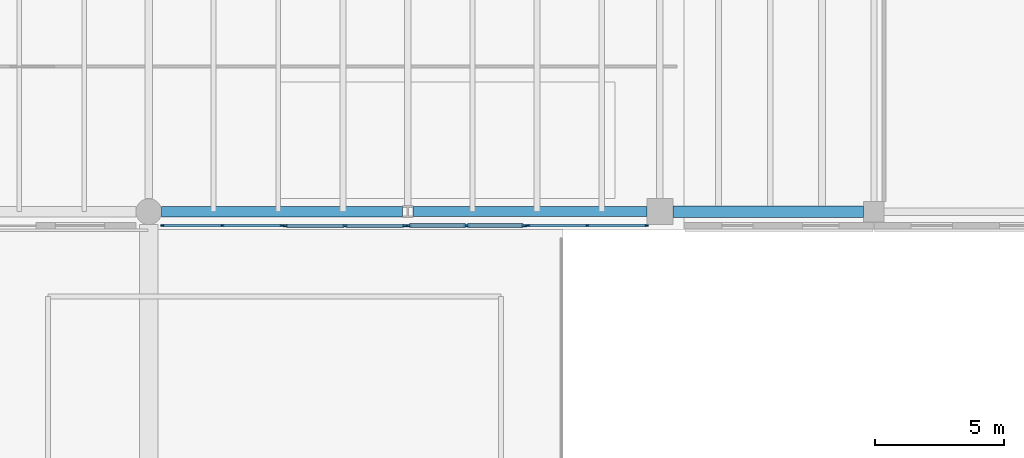
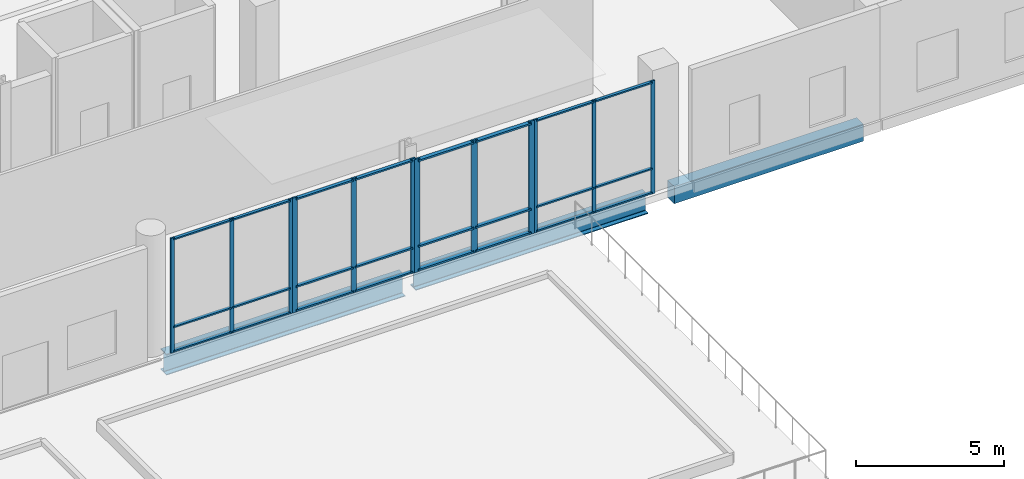
# One storey, part 20 of 60: 36 members, 3 beams, 4 elements without a shape of their own.
"""IFC4 building model written with IfcOpenShell, lengths in metres."""

from ifc_helpers import new_model, si_unit, direction, frame, origin, origin_2d, place, context, subcontext, project, spatial, rectangle, i_section, extrude, material, material_profile, profile_set, type_object, element, aggregate, save


model = new_model("IFC4")

# Units and contexts
model_context = context("Model", 3, precision=1e-05, world=origin(), true_north=direction((0.0, 1.0)))
body_context = subcontext(model_context, "Body", "Model", "MODEL_VIEW")
ifc_project = project(units=[si_unit("LENGTHUNIT", "METRE"), si_unit("AREAUNIT", "SQUARE_METRE"), si_unit("VOLUMEUNIT", "CUBIC_METRE"), si_unit("PLANEANGLEUNIT", "RADIAN"), si_unit("MASSUNIT", "GRAM", prefix="KILO")], contexts=[model_context])

# Site, building, storey
site_placement = place(None, origin())
site = spatial("IfcSite", under=ifc_project, at=site_placement, CompositionType="ELEMENT")
building_placement = place(site_placement, origin())
building = spatial("IfcBuilding", under=site, at=building_placement, Name="Trimount Lyric Opera House", CompositionType="ELEMENT")
storey_placement = place(building_placement, frame((0.0, 0.0, 15.0)))
storey = spatial("IfcBuildingStorey", under=building, at=storey_placement, Name="L03", CompositionType="ELEMENT", Elevation=15.0)

# Beams
ifc_material_1 = material(Name="Steel ASTM A992 Grade 50", Category="steel")
ifc_material_profile_1 = material_profile(ifc_material_1, i_section(OverallWidth=0.40087890625, OverallDepth=0.861083984375, WebThickness=0.019775390625, FlangeThickness=0.032470703125, FilletRadius=0.02001953125, at=origin_2d()), Name="W33X221")
ifc_profile_set_1 = profile_set([ifc_material_profile_1], Name="Steel ASTM A992 Grade 50")
beam_type_1 = type_object("IfcBeamType", Name="B-04", PredefinedType="BEAM", material=ifc_profile_set_1)
beam_1_placement = place(storey_placement, frame((94.5, 44.0, -0.71044921875), z_axis=(1.0, 0.0, 0.0), x_axis=(0.0, 1.0, 0.0)))
element("IfcBeam", 1, at=beam_1_placement, inside=storey, type_object=beam_type_1, Name="L03 girder X-0947", PredefinedType="BEAM", context=body_context, shape_type="SweptSolid", body=[
    extrude(i_section(OverallWidth=0.40087890625, OverallDepth=0.861083984375, WebThickness=0.019775390625, FlangeThickness=0.032470703125, FilletRadius=0.02001953125, at=origin_2d()), origin(), (0.0, 0.0, 1.0), 9.2890625),
])
ifc_material_2 = material(Name="Steel ASTM A992 Grade 50", Category="steel")
ifc_material_profile_2 = material_profile(ifc_material_2, i_section(OverallWidth=0.382080078125, OverallDepth=0.779052734375, WebThickness=0.01806640625, FlangeThickness=0.0302734375, FilletRadius=0.01904296875, at=origin_2d()), Name="W30X191")
ifc_profile_set_2 = profile_set([ifc_material_profile_2], Name="Steel ASTM A992 Grade 50")
beam_type_2 = type_object("IfcBeamType", Name="B-06", PredefinedType="BEAM", material=ifc_profile_set_2)
beam_2_placement = place(storey_placement, frame((104.2109375, 44.0, -0.66943359375), z_axis=(1.0, 0.0, 0.0), x_axis=(0.0, 1.0, 0.0)))
element("IfcBeam", 2, at=beam_2_placement, inside=storey, type_object=beam_type_2, Name="L03 girder X-0948", PredefinedType="BEAM", context=body_context, shape_type="SweptSolid", body=[
    extrude(i_section(OverallWidth=0.382080078125, OverallDepth=0.779052734375, WebThickness=0.01806640625, FlangeThickness=0.0302734375, FilletRadius=0.01904296875, at=origin_2d()), origin(), (0.0, 0.0, 1.0), 9.029052734375),
])

# Curtain wall, members
ifc_material_3 = material(Name="Thermally Broken Aluminium and Low-E Glass", Category="aluminium")
curtain_wall_type = type_object("IfcCurtainWallType", Name="CW-05", PredefinedType="NOTDEFINED", material=ifc_material_3)
curtain_wall_1_placement = place(storey_placement, origin())
curtain_wall_1 = element("IfcCurtainWall", 3, at=curtain_wall_1_placement, inside=storey, type_object=curtain_wall_type, Name="L03 curtain wall 258", PredefinedType="NOTDEFINED")
ifc_material_4 = material(Name="Anodised Aluminium 6063-T6", Category="aluminium")
ifc_material_profile_3 = material_profile(ifc_material_4, rectangle(XDim=0.070068359375, YDim=0.219970703125, at=origin_2d()), Name="ALU-MULL-70X220")
ifc_profile_set_3 = profile_set([ifc_material_profile_3], Name="Anodised Aluminium 6063-T6")
member_type_1 = type_object("IfcMemberType", Name="ML-01", PredefinedType="MULLION", material=ifc_profile_set_3)
member_1_placement = place(storey_placement, frame((108.4951171875, 43.4599609375, 0.0), z_axis=(0.0, 0.0, 1.0), x_axis=(0.0, -1.0, 0.0)))
member_1 = element("IfcMember", 4, at=member_1_placement, type_object=member_type_1, Name="CW-05 mullion 1", PredefinedType="MULLION", context=body_context, shape_type="SweptSolid", body=[
    extrude(rectangle(XDim=0.070068359375, YDim=0.219970703125, at=origin_2d()), origin(), (0.0, 0.0, 1.0), 4.64990234375),
])
member_2_placement = place(storey_placement, frame((106.264892578125, 43.4599609375, 0.0), z_axis=(0.0, 0.0, 1.0), x_axis=(0.0, -1.0, 0.0)))
member_2 = element("IfcMember", 5, at=member_2_placement, type_object=member_type_1, Name="CW-05 mullion 2", PredefinedType="MULLION", context=body_context, shape_type="SweptSolid", body=[
    extrude(rectangle(XDim=0.070068359375, YDim=0.219970703125, at=origin_2d()), origin(), (0.0, 0.0, 1.0), 4.64990234375),
])
member_3_placement = place(storey_placement, frame((104.034912109375, 43.4599609375, 0.0), z_axis=(0.0, 0.0, 1.0), x_axis=(0.0, -1.0, 0.0)))
member_3 = element("IfcMember", 6, at=member_3_placement, type_object=member_type_1, Name="CW-05 mullion 3", PredefinedType="MULLION", context=body_context, shape_type="SweptSolid", body=[
    extrude(rectangle(XDim=0.070068359375, YDim=0.219970703125, at=origin_2d()), origin(), (0.0, 0.0, 1.0), 4.64990234375),
])

curtain_wall_2_placement = place(storey_placement, origin())
curtain_wall_2 = element("IfcCurtainWall", 7, at=curtain_wall_2_placement, inside=storey, type_object=curtain_wall_type, Name="L03 curtain wall 259", PredefinedType="NOTDEFINED")
ifc_material_5 = material(Name="Anodised Aluminium 6063-T6", Category="aluminium")
ifc_material_profile_4 = material_profile(ifc_material_5, rectangle(XDim=0.06494140625, YDim=0.179931640625, at=origin_2d()), Name="ALU-MULL-65X180")
ifc_profile_set_4 = profile_set([ifc_material_profile_4], Name="Anodised Aluminium 6063-T6")
member_type_2 = type_object("IfcMemberType", Name="ML-02", PredefinedType="MULLION", material=ifc_profile_set_4)
member_4_placement = place(storey_placement, frame((103.87744140625, 43.4599609375, 0.0), z_axis=(0.0, 0.0, 1.0), x_axis=(0.0, -1.0, 0.0)))
member_4 = element("IfcMember", 8, at=member_4_placement, type_object=member_type_2, Name="CW-05 mullion 1", PredefinedType="MULLION", context=body_context, shape_type="SweptSolid", body=[
    extrude(rectangle(XDim=0.06494140625, YDim=0.179931640625, at=origin_2d()), origin(), (0.0, 0.0, 1.0), 4.719970703125),
])
member_5_placement = place(storey_placement, frame((101.580078125, 43.4599609375, 0.0), z_axis=(0.0, 0.0, 1.0), x_axis=(0.0, -1.0, 0.0)))
member_5 = element("IfcMember", 9, at=member_5_placement, type_object=member_type_2, Name="CW-05 mullion 2", PredefinedType="MULLION", context=body_context, shape_type="SweptSolid", body=[
    extrude(rectangle(XDim=0.06494140625, YDim=0.179931640625, at=origin_2d()), origin(), (0.0, 0.0, 1.0), 4.719970703125),
])
member_6_placement = place(storey_placement, frame((99.282470703125, 43.4599609375, 0.0), z_axis=(0.0, 0.0, 1.0), x_axis=(0.0, -1.0, 0.0)))
member_6 = element("IfcMember", 10, at=member_6_placement, type_object=member_type_2, Name="CW-05 mullion 3", PredefinedType="MULLION", context=body_context, shape_type="SweptSolid", body=[
    extrude(rectangle(XDim=0.06494140625, YDim=0.179931640625, at=origin_2d()), origin(), (0.0, 0.0, 1.0), 4.719970703125),
])

curtain_wall_3_placement = place(storey_placement, origin())
curtain_wall_3 = element("IfcCurtainWall", 11, at=curtain_wall_3_placement, inside=storey, type_object=curtain_wall_type, Name="L03 curtain wall 257", PredefinedType="NOTDEFINED")
ifc_material_6 = material(Name="Anodised Aluminium 6063-T6", Category="aluminium")
ifc_material_profile_5 = material_profile(ifc_material_6, rectangle(XDim=0.06005859375, YDim=0.14990234375, at=origin_2d()), Name="ALU-MULL-60X150")
ifc_profile_set_5 = profile_set([ifc_material_profile_5], Name="Anodised Aluminium 6063-T6")
member_type_3 = type_object("IfcMemberType", Name="ML-03", PredefinedType="MULLION", material=ifc_profile_set_5)
member_7_placement = place(storey_placement, frame((113.2099609375, 43.4599609375, 0.0), z_axis=(0.0, 0.0, 1.0), x_axis=(0.0, -1.0, 0.0)))
member_7 = element("IfcMember", 12, at=member_7_placement, type_object=member_type_3, Name="CW-05 mullion 1", PredefinedType="MULLION", context=body_context, shape_type="SweptSolid", body=[
    extrude(rectangle(XDim=0.06005859375, YDim=0.14990234375, at=origin_2d()), origin(), (0.0, 0.0, 1.0), 4.64990234375),
])
member_8_placement = place(storey_placement, frame((110.929931640625, 43.4599609375, 0.0), z_axis=(0.0, 0.0, 1.0), x_axis=(0.0, -1.0, 0.0)))
member_8 = element("IfcMember", 13, at=member_8_placement, type_object=member_type_3, Name="CW-05 mullion 2", PredefinedType="MULLION", context=body_context, shape_type="SweptSolid", body=[
    extrude(rectangle(XDim=0.06005859375, YDim=0.14990234375, at=origin_2d()), origin(), (0.0, 0.0, 1.0), 4.64990234375),
])
member_9_placement = place(storey_placement, frame((108.64990234375, 43.4599609375, 0.0), z_axis=(0.0, 0.0, 1.0), x_axis=(0.0, -1.0, 0.0)))
member_9 = element("IfcMember", 14, at=member_9_placement, type_object=member_type_3, Name="CW-05 mullion 3", PredefinedType="MULLION", context=body_context, shape_type="SweptSolid", body=[
    extrude(rectangle(XDim=0.06005859375, YDim=0.14990234375, at=origin_2d()), origin(), (0.0, 0.0, 1.0), 4.64990234375),
])

curtain_wall_4_placement = place(storey_placement, origin())
curtain_wall_4 = element("IfcCurtainWall", 15, at=curtain_wall_4_placement, inside=storey, type_object=curtain_wall_type, Name="L03 curtain wall 260", PredefinedType="NOTDEFINED")
member_10_placement = place(storey_placement, frame((99.1298828125, 43.4599609375, 0.0), z_axis=(0.0, 0.0, 1.0), x_axis=(0.0, -1.0, 0.0)))
member_10 = element("IfcMember", 16, at=member_10_placement, type_object=member_type_3, Name="CW-05 mullion 1", PredefinedType="MULLION", context=body_context, shape_type="SweptSolid", body=[
    extrude(rectangle(XDim=0.06005859375, YDim=0.14990234375, at=origin_2d()), origin(), (0.0, 0.0, 1.0), 4.719970703125),
])
member_11_placement = place(storey_placement, frame((96.830078125, 43.4599609375, 0.0), z_axis=(0.0, 0.0, 1.0), x_axis=(0.0, -1.0, 0.0)))
member_11 = element("IfcMember", 17, at=member_11_placement, type_object=member_type_3, Name="CW-05 mullion 2", PredefinedType="MULLION", context=body_context, shape_type="SweptSolid", body=[
    extrude(rectangle(XDim=0.06005859375, YDim=0.14990234375, at=origin_2d()), origin(), (0.0, 0.0, 1.0), 4.719970703125),
])
member_12_placement = place(storey_placement, frame((94.530029296875, 43.4599609375, 0.0), z_axis=(0.0, 0.0, 1.0), x_axis=(0.0, -1.0, 0.0)))
member_12 = element("IfcMember", 18, at=member_12_placement, type_object=member_type_3, Name="CW-05 mullion 3", PredefinedType="MULLION", context=body_context, shape_type="SweptSolid", body=[
    extrude(rectangle(XDim=0.06005859375, YDim=0.14990234375, at=origin_2d()), origin(), (0.0, 0.0, 1.0), 4.719970703125),
])

# Beam
ifc_material_7 = material(Name="Concrete C40/50", Category="concrete")
ifc_material_profile_6 = material_profile(ifc_material_7, rectangle(XDim=0.449951171875, YDim=0.699951171875, at=origin_2d()), Name="RC450X700")
ifc_profile_set_6 = profile_set([ifc_material_profile_6], Name="Concrete C40/50")
beam_type_3 = type_object("IfcBeamType", Name="SP-02", PredefinedType="SPANDREL", material=ifc_profile_set_6)
beam_3_placement = place(storey_placement, frame((114.239990234375, 44.0, -0.6298828125), z_axis=(1.0, 0.0, 0.0), x_axis=(0.0, 1.0, 0.0)))
element("IfcBeam", 19, at=beam_3_placement, inside=storey, type_object=beam_type_3, Name="L03 girder X-0949", PredefinedType="SPANDREL", context=body_context, shape_type="SweptSolid", body=[
    extrude(rectangle(XDim=0.449951171875, YDim=0.699951171875, at=origin_2d()), origin(), (0.0, 0.0, 1.0), 7.360107421875),
])

# Member
ifc_material_8 = material(Name="Anodised Aluminium 6063-T6", Category="aluminium")
ifc_material_profile_7 = material_profile(ifc_material_8, rectangle(XDim=0.159912109375, YDim=0.070068359375, at=origin_2d()), Name="ALU-TRAN-70X160")
ifc_profile_set_7 = profile_set([ifc_material_profile_7], Name="Anodised Aluminium 6063-T6")
member_type_4 = type_object("IfcMemberType", Name="TR-01", PredefinedType="USERDEFINED", material=ifc_profile_set_7)
member_13_placement = place(storey_placement, frame((108.4599609375, 43.4599609375, 0.080078125), z_axis=(-1.0, 0.0, 0.0), x_axis=(0.0, -1.0, 0.0)))
member_13 = element("IfcMember", 20, at=member_13_placement, type_object=member_type_4, Name="CW-05 transom 1.1", ObjectType="TRANSOM", PredefinedType="USERDEFINED", context=body_context, shape_type="SweptSolid", body=[
    extrude(rectangle(XDim=0.159912109375, YDim=0.070068359375, at=origin_2d()), origin(), (0.0, 0.0, 1.0), 2.159912109375),
])

member_14_placement = place(storey_placement, frame((108.4599609375, 43.4599609375, 1.050048828125), z_axis=(-1.0, 0.0, 0.0), x_axis=(0.0, -1.0, 0.0)))
member_14 = element("IfcMember", 21, at=member_14_placement, type_object=member_type_4, Name="CW-05 transom 1.2", ObjectType="TRANSOM", PredefinedType="USERDEFINED", context=body_context, shape_type="SweptSolid", body=[
    extrude(rectangle(XDim=0.159912109375, YDim=0.070068359375, at=origin_2d()), origin(), (0.0, 0.0, 1.0), 2.159912109375),
])

member_15_placement = place(storey_placement, frame((108.4599609375, 43.4599609375, 4.570068359375), z_axis=(-1.0, 0.0, 0.0), x_axis=(0.0, -1.0, 0.0)))
member_15 = element("IfcMember", 22, at=member_15_placement, type_object=member_type_4, Name="CW-05 transom 1.3", ObjectType="TRANSOM", PredefinedType="USERDEFINED", context=body_context, shape_type="SweptSolid", body=[
    extrude(rectangle(XDim=0.159912109375, YDim=0.070068359375, at=origin_2d()), origin(), (0.0, 0.0, 1.0), 2.159912109375),
])

member_16_placement = place(storey_placement, frame((106.22998046875, 43.4599609375, 0.080078125), z_axis=(-1.0, 0.0, 0.0), x_axis=(0.0, -1.0, 0.0)))
member_16 = element("IfcMember", 23, at=member_16_placement, type_object=member_type_4, Name="CW-05 transom 2.1", ObjectType="TRANSOM", PredefinedType="USERDEFINED", context=body_context, shape_type="SweptSolid", body=[
    extrude(rectangle(XDim=0.159912109375, YDim=0.070068359375, at=origin_2d()), origin(), (0.0, 0.0, 1.0), 2.159912109375),
])

member_17_placement = place(storey_placement, frame((106.22998046875, 43.4599609375, 1.050048828125), z_axis=(-1.0, 0.0, 0.0), x_axis=(0.0, -1.0, 0.0)))
member_17 = element("IfcMember", 24, at=member_17_placement, type_object=member_type_4, Name="CW-05 transom 2.2", ObjectType="TRANSOM", PredefinedType="USERDEFINED", context=body_context, shape_type="SweptSolid", body=[
    extrude(rectangle(XDim=0.159912109375, YDim=0.070068359375, at=origin_2d()), origin(), (0.0, 0.0, 1.0), 2.159912109375),
])

member_18_placement = place(storey_placement, frame((106.22998046875, 43.4599609375, 4.570068359375), z_axis=(-1.0, 0.0, 0.0), x_axis=(0.0, -1.0, 0.0)))
member_18 = element("IfcMember", 25, at=member_18_placement, type_object=member_type_4, Name="CW-05 transom 2.3", ObjectType="TRANSOM", PredefinedType="USERDEFINED", context=body_context, shape_type="SweptSolid", body=[
    extrude(rectangle(XDim=0.159912109375, YDim=0.070068359375, at=origin_2d()), origin(), (0.0, 0.0, 1.0), 2.159912109375),
])

aggregate(curtain_wall_1, [member_1, member_2, member_3, member_13, member_14, member_15, member_16, member_17, member_18])

ifc_material_9 = material(Name="Anodised Aluminium 6063-T6", Category="aluminium")
ifc_material_profile_8 = material_profile(ifc_material_9, rectangle(XDim=0.135009765625, YDim=0.06494140625, at=origin_2d()), Name="ALU-TRAN-65X135")
ifc_profile_set_8 = profile_set([ifc_material_profile_8], Name="Anodised Aluminium 6063-T6")
member_type_5 = type_object("IfcMemberType", Name="TR-02", PredefinedType="USERDEFINED", material=ifc_profile_set_8)
member_19_placement = place(storey_placement, frame((103.844970703125, 43.4599609375, 0.0673828125), z_axis=(-1.0, 0.0, 0.0), x_axis=(0.0, -1.0, 0.0)))
member_19 = element("IfcMember", 26, at=member_19_placement, type_object=member_type_5, Name="CW-05 transom 1.1", ObjectType="TRANSOM", PredefinedType="USERDEFINED", context=body_context, shape_type="SweptSolid", body=[
    extrude(rectangle(XDim=0.135009765625, YDim=0.06494140625, at=origin_2d()), origin(), (0.0, 0.0, 1.0), 2.232421875),
])

member_20_placement = place(storey_placement, frame((103.844970703125, 43.4599609375, 1.050048828125), z_axis=(-1.0, 0.0, 0.0), x_axis=(0.0, -1.0, 0.0)))
member_20 = element("IfcMember", 27, at=member_20_placement, type_object=member_type_5, Name="CW-05 transom 1.2", ObjectType="TRANSOM", PredefinedType="USERDEFINED", context=body_context, shape_type="SweptSolid", body=[
    extrude(rectangle(XDim=0.135009765625, YDim=0.06494140625, at=origin_2d()), origin(), (0.0, 0.0, 1.0), 2.232421875),
])

member_21_placement = place(storey_placement, frame((103.844970703125, 43.4599609375, 4.652587890625), z_axis=(-1.0, 0.0, 0.0), x_axis=(0.0, -1.0, 0.0)))
member_21 = element("IfcMember", 28, at=member_21_placement, type_object=member_type_5, Name="CW-05 transom 1.3", ObjectType="TRANSOM", PredefinedType="USERDEFINED", context=body_context, shape_type="SweptSolid", body=[
    extrude(rectangle(XDim=0.135009765625, YDim=0.06494140625, at=origin_2d()), origin(), (0.0, 0.0, 1.0), 2.232421875),
])

member_22_placement = place(storey_placement, frame((101.547607421875, 43.4599609375, 0.0673828125), z_axis=(-1.0, 0.0, 0.0), x_axis=(0.0, -1.0, 0.0)))
member_22 = element("IfcMember", 29, at=member_22_placement, type_object=member_type_5, Name="CW-05 transom 2.1", ObjectType="TRANSOM", PredefinedType="USERDEFINED", context=body_context, shape_type="SweptSolid", body=[
    extrude(rectangle(XDim=0.135009765625, YDim=0.06494140625, at=origin_2d()), origin(), (0.0, 0.0, 1.0), 2.232666015625),
])

member_23_placement = place(storey_placement, frame((101.547607421875, 43.4599609375, 1.050048828125), z_axis=(-1.0, 0.0, 0.0), x_axis=(0.0, -1.0, 0.0)))
member_23 = element("IfcMember", 30, at=member_23_placement, type_object=member_type_5, Name="CW-05 transom 2.2", ObjectType="TRANSOM", PredefinedType="USERDEFINED", context=body_context, shape_type="SweptSolid", body=[
    extrude(rectangle(XDim=0.135009765625, YDim=0.06494140625, at=origin_2d()), origin(), (0.0, 0.0, 1.0), 2.232666015625),
])

member_24_placement = place(storey_placement, frame((101.547607421875, 43.4599609375, 4.652587890625), z_axis=(-1.0, 0.0, 0.0), x_axis=(0.0, -1.0, 0.0)))
member_24 = element("IfcMember", 31, at=member_24_placement, type_object=member_type_5, Name="CW-05 transom 2.3", ObjectType="TRANSOM", PredefinedType="USERDEFINED", context=body_context, shape_type="SweptSolid", body=[
    extrude(rectangle(XDim=0.135009765625, YDim=0.06494140625, at=origin_2d()), origin(), (0.0, 0.0, 1.0), 2.232666015625),
])

aggregate(curtain_wall_2, [member_4, member_5, member_6, member_19, member_20, member_21, member_22, member_23, member_24])

ifc_material_10 = material(Name="Anodised Aluminium 6063-T6", Category="aluminium")
ifc_material_profile_9 = material_profile(ifc_material_10, rectangle(XDim=0.114990234375, YDim=0.06005859375, at=origin_2d()), Name="ALU-TRAN-60X115")
ifc_profile_set_9 = profile_set([ifc_material_profile_9], Name="Anodised Aluminium 6063-T6")
member_type_6 = type_object("IfcMemberType", Name="TR-03", PredefinedType="USERDEFINED", material=ifc_profile_set_9)
member_25_placement = place(storey_placement, frame((113.179931640625, 43.4599609375, 0.0576171875), z_axis=(-1.0, 0.0, 0.0), x_axis=(0.0, -1.0, 0.0)))
member_25 = element("IfcMember", 32, at=member_25_placement, type_object=member_type_6, Name="CW-05 transom 1.1", ObjectType="TRANSOM", PredefinedType="USERDEFINED", context=body_context, shape_type="SweptSolid", body=[
    extrude(rectangle(XDim=0.114990234375, YDim=0.06005859375, at=origin_2d()), origin(), (0.0, 0.0, 1.0), 2.219970703125),
])

member_26_placement = place(storey_placement, frame((113.179931640625, 43.4599609375, 1.050048828125), z_axis=(-1.0, 0.0, 0.0), x_axis=(0.0, -1.0, 0.0)))
member_26 = element("IfcMember", 33, at=member_26_placement, type_object=member_type_6, Name="CW-05 transom 1.2", ObjectType="TRANSOM", PredefinedType="USERDEFINED", context=body_context, shape_type="SweptSolid", body=[
    extrude(rectangle(XDim=0.114990234375, YDim=0.06005859375, at=origin_2d()), origin(), (0.0, 0.0, 1.0), 2.219970703125),
])

member_27_placement = place(storey_placement, frame((113.179931640625, 43.4599609375, 4.592529296875), z_axis=(-1.0, 0.0, 0.0), x_axis=(0.0, -1.0, 0.0)))
member_27 = element("IfcMember", 34, at=member_27_placement, type_object=member_type_6, Name="CW-05 transom 1.3", ObjectType="TRANSOM", PredefinedType="USERDEFINED", context=body_context, shape_type="SweptSolid", body=[
    extrude(rectangle(XDim=0.114990234375, YDim=0.06005859375, at=origin_2d()), origin(), (0.0, 0.0, 1.0), 2.219970703125),
])

member_28_placement = place(storey_placement, frame((110.89990234375, 43.4599609375, 0.0576171875), z_axis=(-1.0, 0.0, 0.0), x_axis=(0.0, -1.0, 0.0)))
member_28 = element("IfcMember", 35, at=member_28_placement, type_object=member_type_6, Name="CW-05 transom 2.1", ObjectType="TRANSOM", PredefinedType="USERDEFINED", context=body_context, shape_type="SweptSolid", body=[
    extrude(rectangle(XDim=0.114990234375, YDim=0.06005859375, at=origin_2d()), origin(), (0.0, 0.0, 1.0), 2.219970703125),
])

member_29_placement = place(storey_placement, frame((110.89990234375, 43.4599609375, 1.050048828125), z_axis=(-1.0, 0.0, 0.0), x_axis=(0.0, -1.0, 0.0)))
member_29 = element("IfcMember", 36, at=member_29_placement, type_object=member_type_6, Name="CW-05 transom 2.2", ObjectType="TRANSOM", PredefinedType="USERDEFINED", context=body_context, shape_type="SweptSolid", body=[
    extrude(rectangle(XDim=0.114990234375, YDim=0.06005859375, at=origin_2d()), origin(), (0.0, 0.0, 1.0), 2.219970703125),
])

member_30_placement = place(storey_placement, frame((110.89990234375, 43.4599609375, 4.592529296875), z_axis=(-1.0, 0.0, 0.0), x_axis=(0.0, -1.0, 0.0)))
member_30 = element("IfcMember", 37, at=member_30_placement, type_object=member_type_6, Name="CW-05 transom 2.3", ObjectType="TRANSOM", PredefinedType="USERDEFINED", context=body_context, shape_type="SweptSolid", body=[
    extrude(rectangle(XDim=0.114990234375, YDim=0.06005859375, at=origin_2d()), origin(), (0.0, 0.0, 1.0), 2.219970703125),
])

aggregate(curtain_wall_3, [member_7, member_8, member_9, member_25, member_26, member_27, member_28, member_29, member_30])

member_31_placement = place(storey_placement, frame((99.10009765625, 43.4599609375, 0.0576171875), z_axis=(-1.0, 0.0, 0.0), x_axis=(0.0, -1.0, 0.0)))
member_31 = element("IfcMember", 38, at=member_31_placement, type_object=member_type_6, Name="CW-05 transom 1.1", ObjectType="TRANSOM", PredefinedType="USERDEFINED", context=body_context, shape_type="SweptSolid", body=[
    extrude(rectangle(XDim=0.114990234375, YDim=0.06005859375, at=origin_2d()), origin(), (0.0, 0.0, 1.0), 2.239990234375),
])

member_32_placement = place(storey_placement, frame((99.10009765625, 43.4599609375, 1.050048828125), z_axis=(-1.0, 0.0, 0.0), x_axis=(0.0, -1.0, 0.0)))
member_32 = element("IfcMember", 39, at=member_32_placement, type_object=member_type_6, Name="CW-05 transom 1.2", ObjectType="TRANSOM", PredefinedType="USERDEFINED", context=body_context, shape_type="SweptSolid", body=[
    extrude(rectangle(XDim=0.114990234375, YDim=0.06005859375, at=origin_2d()), origin(), (0.0, 0.0, 1.0), 2.239990234375),
])

member_33_placement = place(storey_placement, frame((99.10009765625, 43.4599609375, 4.66259765625), z_axis=(-1.0, 0.0, 0.0), x_axis=(0.0, -1.0, 0.0)))
member_33 = element("IfcMember", 40, at=member_33_placement, type_object=member_type_6, Name="CW-05 transom 1.3", ObjectType="TRANSOM", PredefinedType="USERDEFINED", context=body_context, shape_type="SweptSolid", body=[
    extrude(rectangle(XDim=0.114990234375, YDim=0.06005859375, at=origin_2d()), origin(), (0.0, 0.0, 1.0), 2.239990234375),
])

member_34_placement = place(storey_placement, frame((96.800048828125, 43.4599609375, 0.0576171875), z_axis=(-1.0, 0.0, 0.0), x_axis=(0.0, -1.0, 0.0)))
member_34 = element("IfcMember", 41, at=member_34_placement, type_object=member_type_6, Name="CW-05 transom 2.1", ObjectType="TRANSOM", PredefinedType="USERDEFINED", context=body_context, shape_type="SweptSolid", body=[
    extrude(rectangle(XDim=0.114990234375, YDim=0.06005859375, at=origin_2d()), origin(), (0.0, 0.0, 1.0), 2.239990234375),
])

member_35_placement = place(storey_placement, frame((96.800048828125, 43.4599609375, 1.050048828125), z_axis=(-1.0, 0.0, 0.0), x_axis=(0.0, -1.0, 0.0)))
member_35 = element("IfcMember", 42, at=member_35_placement, type_object=member_type_6, Name="CW-05 transom 2.2", ObjectType="TRANSOM", PredefinedType="USERDEFINED", context=body_context, shape_type="SweptSolid", body=[
    extrude(rectangle(XDim=0.114990234375, YDim=0.06005859375, at=origin_2d()), origin(), (0.0, 0.0, 1.0), 2.239990234375),
])

member_36_placement = place(storey_placement, frame((96.800048828125, 43.4599609375, 4.66259765625), z_axis=(-1.0, 0.0, 0.0), x_axis=(0.0, -1.0, 0.0)))
member_36 = element("IfcMember", 43, at=member_36_placement, type_object=member_type_6, Name="CW-05 transom 2.3", ObjectType="TRANSOM", PredefinedType="USERDEFINED", context=body_context, shape_type="SweptSolid", body=[
    extrude(rectangle(XDim=0.114990234375, YDim=0.06005859375, at=origin_2d()), origin(), (0.0, 0.0, 1.0), 2.239990234375),
])

aggregate(curtain_wall_4, [member_10, member_11, member_12, member_31, member_32, member_33, member_34, member_35, member_36])

save(model, "model.ifc")
